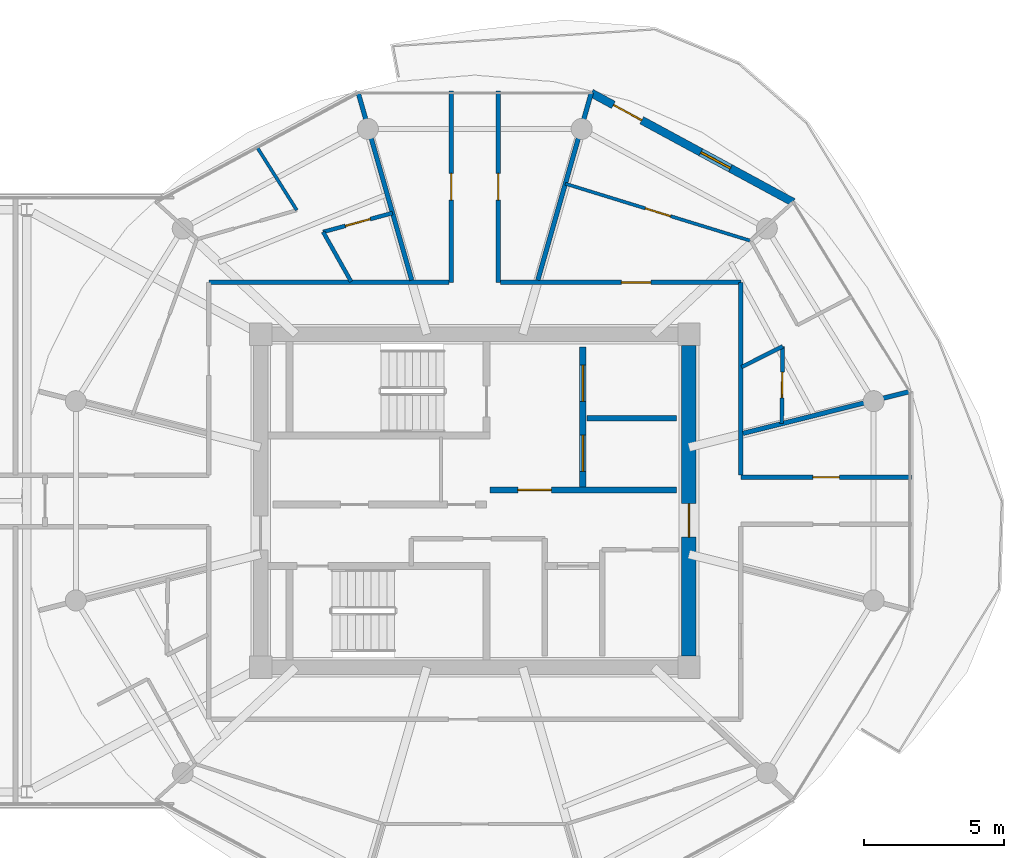
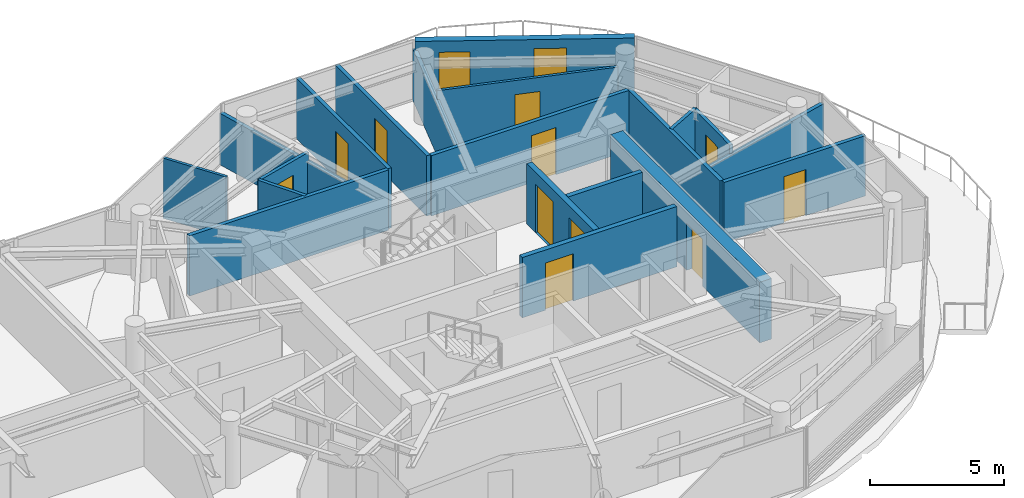
# One storey, part 18 of 23: 20 walls, 12 doors, 1 window, 13 openings.
"""IFC4 building model written with IfcOpenShell, lengths in metres."""

from ifc_helpers import new_model, si_unit, direction, frame, frame_2d, origin, place, context, subcontext, project, spatial, rectangle, extrude, source, transform, mapped, material, layer, layer_set, type_object, type_shapes, element, fill, save


model = new_model("IFC4")

# Units and contexts
model_context = context("Model", 3, precision=1e-05, world=origin(), true_north=direction((0.0, 1.0)))
body_context = subcontext(model_context, "Body", "Model", "MODEL_VIEW")
ifc_project = project(units=[si_unit("LENGTHUNIT", "METRE"), si_unit("AREAUNIT", "SQUARE_METRE"), si_unit("VOLUMEUNIT", "CUBIC_METRE"), si_unit("PLANEANGLEUNIT", "RADIAN"), si_unit("MASSUNIT", "GRAM", prefix="KILO")], contexts=[model_context])

# Site, building, storey
site_placement = place(None, origin())
site = spatial("IfcSite", under=ifc_project, at=site_placement, CompositionType="ELEMENT")
building_placement = place(site_placement, origin())
building = spatial("IfcBuilding", under=site, at=building_placement, Name="Norrkilde Senior Care Towers", CompositionType="ELEMENT")
storey_placement = place(building_placement, frame((0.0, 0.0, 216.949951171875)))
storey = spatial("IfcBuildingStorey", under=building, at=storey_placement, Name="L67", CompositionType="ELEMENT", Elevation=216.949951171875)

# Wall, opening, door
ifc_material_1 = material(Name="Concrete C50/60", Category="concrete")
ifc_layer_1 = layer(ifc_material_1, 0.52001953125)
ifc_layer_set_1 = layer_set([ifc_layer_1], Name="Concrete C50/60")
wall_type_1 = type_object("IfcWallType", Name="Core Shear Wall Z4 520", PredefinedType="SHEAR", material=ifc_layer_set_1)
shared_shape_1 = source(origin(), body_context, "Body", "SweptSolid", [
    extrude(rectangle(XDim=11.10009765625, YDim=0.52001953125, at=frame_2d((5.550048828125, 0.0))), origin(), (0.0, 0.0, 1.0), 2.760009765625),
])
type_shapes(wall_type_1, [shared_shape_1])
wall_1_placement = place(storey_placement, frame((35.64990234375, 5.550048828125, 0.0), z_axis=(0.0, 0.0, 1.0), x_axis=(0.0, -1.0, 0.0)))
wall_1 = element("IfcWall", 1, at=wall_1_placement, inside=storey, type_object=wall_type_1, Name="L67 Core E East Shear Wall", PredefinedType="SHEAR", context=body_context, shape_type="MappedRepresentation", body=[
    mapped(shared_shape_1, transform((0.0, 0.0, 0.0), x_axis=(1.0, 0.0, 0.0), y_axis=(0.0, 1.0, 0.0), z_axis=(0.0, 0.0, 1.0), scale=1.0)),
])
opening_1_placement = place(wall_1_placement, frame((5.64990234375, 0.0, 0.0)))
opening_1 = element("IfcOpeningElement", 2, at=opening_1_placement, cuts=wall_1, Name="Opening D-04", PredefinedType="OPENING", context=body_context, shape_type="SweptSolid", body=[
    extrude(rectangle(XDim=1.199951171875, YDim=2.14990234375, at=frame_2d((0.60009765625, 1.074951171875))), frame((0.0, 0.27001953125, 0.0), z_axis=(0.0, -1.0, 0.0), x_axis=(1.0, 0.0, 0.0)), (0.0, 0.0, 1.0), 0.5400390625),
])
ifc_material_2 = material(Name="Galvanised Painted Steel", Category="steel")
door_type_1 = type_object("IfcDoorType", Name="Firefighting Lobby Fire Door 1200x2150", OperationType="NOTDEFINED", PredefinedType="DOOR", material=ifc_material_2)
shared_shape_2 = source(origin(), body_context, "Body", "SweptSolid", [
    extrude(rectangle(XDim=1.199951171875, YDim=2.14990234375, at=frame_2d((0.60009765625, 1.074951171875))), frame((0.0, 0.02490234375, 0.0), z_axis=(0.0, -1.0, 0.0), x_axis=(1.0, 0.0, 0.0)), (0.0, 0.0, 1.0), 0.050048828125),
])
type_shapes(door_type_1, [shared_shape_2])
door_1_placement = place(opening_1_placement, frame((1.199951171875, 0.0, 0.0), z_axis=(0.0, 0.0, 1.0), x_axis=(-1.0, 0.0, 0.0)))
door_1 = element("IfcDoor", 3, at=door_1_placement, inside=storey, type_object=door_type_1, Name="L67 Core E East Portal Door", OperationType="SINGLE_SWING_RIGHT", OverallHeight=2.14990234375, OverallWidth=1.199951171875, PredefinedType="DOOR", context=body_context, shape_type="MappedRepresentation", body=[
    mapped(shared_shape_2, transform((0.0, 0.0, 0.0), x_axis=(1.0, 0.0, 0.0), y_axis=(0.0, 1.0, 0.0), z_axis=(0.0, 0.0, 1.0), scale=1.0)),
])
fill(opening_1, door_1)

# Wall, openings, door, window
ifc_material_3 = material(Name="Precast concrete C45/55", Category="concrete")
ifc_layer_2 = layer(ifc_material_3, 0.2900390625)
ifc_layer_set_2 = layer_set([ifc_layer_2], Name="Precast concrete C45/55")
wall_type_2 = type_object("IfcWallType", Name="Winter Garden Facade Wall 290", PredefinedType="SOLIDWALL", material=ifc_layer_set_2)
shared_shape_3 = source(origin(), body_context, "Body", "SweptSolid", [
    extrude(rectangle(XDim=8.197265625, YDim=0.2900390625, at=frame_2d((4.0986328125, 0.0))), origin(), (0.0, 0.0, 1.0), 2.760009765625),
])
type_shapes(wall_type_2, [shared_shape_3])
wall_2_placement = place(storey_placement, frame((32.161865234375, 14.566162109375, 0.0), z_axis=(0.0, 0.0, 1.0), x_axis=(0.879369910001, -0.476139224791, 0.0)))
wall_2 = element("IfcWall", 4, at=wall_2_placement, inside=storey, type_object=wall_type_2, Name="L67 Drum E Balcony Access Wall 01", PredefinedType="SOLIDWALL", context=body_context, shape_type="MappedRepresentation", body=[
    mapped(shared_shape_3, transform((0.0, 0.0, 0.0), x_axis=(1.0, 0.0, 0.0), y_axis=(0.0, 1.0, 0.0), z_axis=(0.0, 0.0, 1.0), scale=1.0)),
])
opening_2_placement = place(wall_2_placement, frame((0.89990234375, 0.0, 0.0)))
opening_2 = element("IfcOpeningElement", 5, at=opening_2_placement, cuts=wall_2, Name="Opening D-09", PredefinedType="OPENING", context=body_context, shape_type="SweptSolid", body=[
    extrude(rectangle(XDim=1.14990234375, YDim=2.25, at=frame_2d((0.574951171875, 1.125))), frame((0.0, 0.155029296875, 0.0), z_axis=(0.0, -1.0, 0.0), x_axis=(1.0, 0.0, 0.0)), (0.0, 0.0, 1.0), 0.31005859375),
])
opening_3_placement = place(wall_2_placement, frame((4.448486328125, 0.0, 0.85009765625)))
opening_3 = element("IfcOpeningElement", 6, at=opening_3_placement, cuts=wall_2, Name="Opening WN-07", PredefinedType="OPENING", context=body_context, shape_type="SweptSolid", body=[
    extrude(rectangle(XDim=1.199951171875, YDim=1.5, at=frame_2d((0.60009765625, 0.75))), frame((0.0, 0.155029296875, 0.0), z_axis=(0.0, -1.0, 0.0), x_axis=(1.0, 0.0, 0.0)), (0.0, 0.0, 1.0), 0.31005859375),
])
ifc_material_4 = material(Name="Anodised Aluminium", Category="aluminium")
door_type_2 = type_object("IfcDoorType", Name="Terrace and Balcony Glazed Door 1150x2250", OperationType="NOTDEFINED", PredefinedType="DOOR", material=ifc_material_4)
shared_shape_4 = source(origin(), body_context, "Body", "SweptSolid", [
    extrude(rectangle(XDim=1.14990234375, YDim=2.25, at=frame_2d((0.574951171875, 1.125))), frame((0.0, 0.02490234375, 0.0), z_axis=(0.0, -1.0, 0.0), x_axis=(1.0, 0.0, 0.0)), (0.0, 0.0, 1.0), 0.050048828125),
])
type_shapes(door_type_2, [shared_shape_4])
door_2_placement = place(opening_2_placement, origin())
door_2 = element("IfcDoor", 7, at=door_2_placement, inside=storey, type_object=door_type_2, Name="L67 Drum E Outdoor Terrace Door 01", OperationType="SINGLE_SWING_RIGHT", OverallHeight=2.25, OverallWidth=1.14990234375, PredefinedType="DOOR", context=body_context, shape_type="MappedRepresentation", body=[
    mapped(shared_shape_4, transform((0.0, 0.0, 0.0), x_axis=(1.0, 0.0, 0.0), y_axis=(0.0, 1.0, 0.0), z_axis=(0.0, 0.0, 1.0), scale=1.0)),
])
fill(opening_2, door_2)
ifc_material_5 = material(Name="Triple Low-E Insulated Glazing", Category="glass")
window_type = type_object("IfcWindowType", Name="Stairwell Smoke Vent Window 1200x1500", PartitioningType="SINGLE_PANEL", PredefinedType="WINDOW", material=ifc_material_5)
shared_shape_5 = source(origin(), body_context, "Body", "SweptSolid", [
    extrude(rectangle(XDim=1.199951171875, YDim=1.5, at=frame_2d((0.60009765625, 0.75))), frame((0.0, 0.030029296875, 0.0), z_axis=(0.0, -1.0, 0.0), x_axis=(1.0, 0.0, 0.0)), (0.0, 0.0, 1.0), 0.06005859375),
])
type_shapes(window_type, [shared_shape_5])
window_placement = place(opening_3_placement, origin())
window = element("IfcWindow", 8, at=window_placement, inside=storey, type_object=window_type, Name="L67 Drum E Winter Garden Window 01", OverallHeight=1.5, OverallWidth=1.199951171875, PartitioningType="SINGLE_PANEL", PredefinedType="WINDOW", context=body_context, shape_type="MappedRepresentation", body=[
    mapped(shared_shape_5, transform((0.0, 0.0, 0.0), x_axis=(1.0, 0.0, 0.0), y_axis=(0.0, 1.0, 0.0), z_axis=(0.0, 0.0, 1.0), scale=1.0)),
])
fill(opening_3, window)

# Wall, openings, doors
ifc_material_6 = material(Name="Concrete C45/55", Category="concrete")
ifc_layer_3 = layer(ifc_material_6, 0.239990234375)
ifc_layer_set_3 = layer_set([ifc_layer_3], Name="Concrete C45/55")
wall_type_3 = type_object("IfcWallType", Name="Lift and Plant Rated Enclosure Partition 240", PredefinedType="PARTITIONING", material=ifc_layer_set_3)
shared_shape_6 = source(origin(), body_context, "Body", "SweptSolid", [
    extrude(rectangle(XDim=5.0, YDim=0.239990234375, at=frame_2d((2.5, 0.0))), origin(), (0.0, 0.0, 1.0), 2.7451171875),
])
type_shapes(wall_type_3, [shared_shape_6])
wall_3_placement = place(storey_placement, frame((31.860107421875, 0.5, 0.0), z_axis=(0.0, 0.0, 1.0), x_axis=(0.0, 1.0, 0.0)))
wall_3 = element("IfcWall", 9, at=wall_3_placement, inside=storey, type_object=wall_type_3, Name="WL-INT-L67-E-FFLE", PredefinedType="PARTITIONING", context=body_context, shape_type="MappedRepresentation", body=[
    mapped(shared_shape_6, transform((0.0, 0.0, 0.0), x_axis=(1.0, 0.0, 0.0), y_axis=(0.0, 1.0, 0.0), z_axis=(0.0, 0.0, 1.0), scale=1.0)),
])
opening_4_placement = place(wall_3_placement, frame((3.050048828125, 0.0, 0.0)))
opening_4 = element("IfcOpeningElement", 10, at=opening_4_placement, cuts=wall_3, Name="Opening LD-02", PredefinedType="OPENING", context=body_context, shape_type="SweptSolid", body=[
    extrude(rectangle(XDim=1.300048828125, YDim=2.199951171875, at=frame_2d((0.64990234375, 1.10009765625))), frame((0.0, 0.1298828125, 0.0), z_axis=(0.0, -1.0, 0.0), x_axis=(1.0, 0.0, 0.0)), (0.0, 0.0, 1.0), 0.260009765625),
])
opening_5_placement = place(wall_3_placement, frame((0.550048828125, 0.0, 0.0)))
opening_5 = element("IfcOpeningElement", 11, at=opening_5_placement, cuts=wall_3, Name="Opening LD-02", PredefinedType="OPENING", context=body_context, shape_type="SweptSolid", body=[
    extrude(rectangle(XDim=1.300048828125, YDim=2.199951171875, at=frame_2d((0.64990234375, 1.10009765625))), frame((0.0, 0.1298828125, 0.0), z_axis=(0.0, -1.0, 0.0), x_axis=(1.0, 0.0, 0.0)), (0.0, 0.0, 1.0), 0.260009765625),
])
ifc_material_7 = material(Name="Stainless Steel", Category="steel")
door_type_3 = type_object("IfcDoorType", Name="Stretcher and FFL Landing Sliding Door 1300x2200", OperationType="NOTDEFINED", PredefinedType="DOOR", material=ifc_material_7)
shared_shape_7 = source(origin(), body_context, "Body", "SweptSolid", [
    extrude(rectangle(XDim=1.300048828125, YDim=2.199951171875, at=frame_2d((0.64990234375, 1.10009765625))), frame((0.0, 0.02490234375, 0.0), z_axis=(0.0, -1.0, 0.0), x_axis=(1.0, 0.0, 0.0)), (0.0, 0.0, 1.0), 0.050048828125),
])
type_shapes(door_type_3, [shared_shape_7])
door_3_placement = place(opening_4_placement, origin())
door_3 = element("IfcDoor", 12, at=door_3_placement, inside=storey, type_object=door_type_3, Name="L67 Firefighting Lift E1 Landing Door", OperationType="SLIDING_TO_LEFT", OverallHeight=2.199951171875, OverallWidth=1.300048828125, PredefinedType="DOOR", context=body_context, shape_type="MappedRepresentation", body=[
    mapped(shared_shape_7, transform((0.0, 0.0, 0.0), x_axis=(1.0, 0.0, 0.0), y_axis=(0.0, 1.0, 0.0), z_axis=(0.0, 0.0, 1.0), scale=1.0)),
])
fill(opening_4, door_3)
door_4_placement = place(opening_5_placement, origin())
door_4 = element("IfcDoor", 13, at=door_4_placement, inside=storey, type_object=door_type_3, Name="L67 Stretcher Lift E1 Landing Door", OperationType="SLIDING_TO_RIGHT", OverallHeight=2.199951171875, OverallWidth=1.300048828125, PredefinedType="DOOR", context=body_context, shape_type="MappedRepresentation", body=[
    mapped(shared_shape_7, transform((0.0, 0.0, 0.0), x_axis=(1.0, 0.0, 0.0), y_axis=(0.0, 1.0, 0.0), z_axis=(0.0, 0.0, 1.0), scale=1.0)),
])
fill(opening_5, door_4)

# Wall
ifc_layer_4 = layer(ifc_material_6, 0.199951171875)
ifc_layer_set_4 = layer_set([ifc_layer_4], Name="Concrete C45/55")
wall_type_4 = type_object("IfcWallType", Name="Shaft Division and Plant Partition 200", PredefinedType="PARTITIONING", material=ifc_layer_set_4)
shared_shape_8 = source(origin(), body_context, "Body", "SweptSolid", [
    extrude(rectangle(XDim=3.199951171875, YDim=0.199951171875, at=frame_2d((1.60009765625, 0.0))), origin(), (0.0, 0.0, 1.0), 2.7451171875),
])
type_shapes(wall_type_4, [shared_shape_8])
wall_4_placement = place(storey_placement, frame((32.0, 2.949951171875, 0.0), z_axis=(0.0, 0.0, 1.0), x_axis=(1.0, 0.0, 0.0)))
element("IfcWall", 14, at=wall_4_placement, inside=storey, type_object=wall_type_4, Name="WL-INT-L67-E-FFLDIV", PredefinedType="PARTITIONING", context=body_context, shape_type="MappedRepresentation", body=[
    mapped(shared_shape_8, transform((0.0, 0.0, 0.0), x_axis=(1.0, 0.0, 0.0), y_axis=(0.0, 1.0, 0.0), z_axis=(0.0, 0.0, 1.0), scale=1.0)),
])

# Wall, opening, door
ifc_layer_5 = layer(ifc_material_6, 0.2099609375)
ifc_layer_set_5 = layer_set([ifc_layer_5], Name="Concrete C45/55")
wall_type_5 = type_object("IfcWallType", Name="Firefighting Lobby Wall 210", PredefinedType="PARTITIONING", material=ifc_layer_set_5)
shared_shape_9 = source(origin(), body_context, "Body", "SweptSolid", [
    extrude(rectangle(XDim=6.659912109375, YDim=0.2099609375, at=frame_2d((3.330078125, 0.0))), origin(), (0.0, 0.0, 1.0), 2.7451171875),
])
type_shapes(wall_type_5, [shared_shape_9])
wall_5_placement = place(storey_placement, frame((28.5400390625, 0.389892578125, 0.0), z_axis=(0.0, 0.0, 1.0), x_axis=(1.0, 0.0, 0.0)))
wall_5 = element("IfcWall", 15, at=wall_5_placement, inside=storey, type_object=wall_type_5, Name="WL-INT-L67-E-FFLS", PredefinedType="PARTITIONING", context=body_context, shape_type="MappedRepresentation", body=[
    mapped(shared_shape_9, transform((0.0, 0.0, 0.0), x_axis=(1.0, 0.0, 0.0), y_axis=(0.0, 1.0, 0.0), z_axis=(0.0, 0.0, 1.0), scale=1.0)),
])
opening_6_placement = place(wall_5_placement, frame((1.0, 0.0, 0.0)))
opening_6 = element("IfcOpeningElement", 16, at=opening_6_placement, cuts=wall_5, Name="Opening D-04", PredefinedType="OPENING", context=body_context, shape_type="SweptSolid", body=[
    extrude(rectangle(XDim=1.199951171875, YDim=2.14990234375, at=frame_2d((0.60009765625, 1.074951171875))), frame((0.0, 0.114990234375, 0.0), z_axis=(0.0, -1.0, 0.0), x_axis=(1.0, 0.0, 0.0)), (0.0, 0.0, 1.0), 0.22998046875),
])
door_5_placement = place(opening_6_placement, frame((1.199951171875, 0.0, 0.0), z_axis=(0.0, 0.0, 1.0), x_axis=(-1.0, 0.0, 0.0)))
door_5 = element("IfcDoor", 17, at=door_5_placement, inside=storey, type_object=door_type_1, Name="L67 Firefighting Lobby E Door", OperationType="SINGLE_SWING_LEFT", OverallHeight=2.14990234375, OverallWidth=1.199951171875, PredefinedType="DOOR", context=body_context, shape_type="MappedRepresentation", body=[
    mapped(shared_shape_2, transform((0.0, 0.0, 0.0), x_axis=(1.0, 0.0, 0.0), y_axis=(0.0, 1.0, 0.0), z_axis=(0.0, 0.0, 1.0), scale=1.0)),
])
fill(opening_6, door_5)

# Wall
ifc_material_8 = material(Name="Gypsum Acoustic Board")
ifc_layer_6 = layer(ifc_material_8, 0.1650390625)
ifc_layer_set_6 = layer_set([ifc_layer_6], Name="Gypsum Acoustic Board")
wall_type_6 = type_object("IfcWallType", Name="Corridor Rated Partition 165", PredefinedType="PARTITIONING", material=ifc_layer_set_6)
shared_shape_10 = source(origin(), body_context, "Body", "SweptSolid", [
    extrude(rectangle(XDim=8.580078125, YDim=0.1650390625, at=frame_2d((4.2900390625, 0.0))), origin(), (0.0, 0.0, 1.0), 2.7451171875),
])
wall_6_placement = place(storey_placement, frame((18.5, 7.800048828125, 0.0), z_axis=(0.0, 0.0, 1.0), x_axis=(1.0, 0.0, 0.0)))
element("IfcWall", 18, at=wall_6_placement, inside=storey, type_object=wall_type_6, Name="WL-INT-L67-E-CRW-N-0", PredefinedType="PARTITIONING", context=body_context, shape_type="MappedRepresentation", body=[
    mapped(shared_shape_10, transform((0.0, 0.0, 0.0), x_axis=(1.0, 0.0, 0.0), y_axis=(0.0, 1.0, 0.0), z_axis=(0.0, 0.0, 1.0), scale=1.0)),
])

# Wall, opening, door
wall_7_placement = place(storey_placement, frame((28.919921875, 7.800048828125, 0.0), z_axis=(0.0, 0.0, 1.0), x_axis=(1.0, 0.0, 0.0)))
wall_7 = element("IfcWall", 19, at=wall_7_placement, inside=storey, type_object=wall_type_6, Name="WL-INT-L67-E-CRW-N-1", PredefinedType="PARTITIONING", context=body_context, shape_type="MappedRepresentation", body=[
    mapped(shared_shape_10, transform((0.0, 0.0, 0.0), x_axis=(1.0, 0.0, 0.0), y_axis=(0.0, 1.0, 0.0), z_axis=(0.0, 0.0, 1.0), scale=1.0)),
])
opening_7_placement = place(wall_7_placement, frame((4.31982421875, 0.0, 0.0)))
opening_7 = element("IfcOpeningElement", 20, at=opening_7_placement, cuts=wall_7, Name="Opening D-06", PredefinedType="OPENING", context=body_context, shape_type="SweptSolid", body=[
    extrude(rectangle(XDim=1.050048828125, YDim=2.14990234375, at=frame_2d((0.52490234375, 1.074951171875))), frame((0.0, 0.092529296875, 0.0), z_axis=(0.0, -1.0, 0.0), x_axis=(1.0, 0.0, 0.0)), (0.0, 0.0, 1.0), 0.18505859375),
])
ifc_material_9 = material(Name="Nordic Ash Timber", Category="wood")
door_type_4 = type_object("IfcDoorType", Name="Apartment Entrance Fire Door 1050x2150", OperationType="NOTDEFINED", PredefinedType="DOOR", material=ifc_material_9)
shared_shape_11 = source(origin(), body_context, "Body", "SweptSolid", [
    extrude(rectangle(XDim=1.050048828125, YDim=2.14990234375, at=frame_2d((0.52490234375, 1.074951171875))), frame((0.0, 0.02490234375, 0.0), z_axis=(0.0, -1.0, 0.0), x_axis=(1.0, 0.0, 0.0)), (0.0, 0.0, 1.0), 0.050048828125),
])
type_shapes(door_type_4, [shared_shape_11])
door_6_placement = place(opening_7_placement, frame((1.050048828125, 0.0, 0.0), z_axis=(0.0, 0.0, 1.0), x_axis=(-1.0, 0.0, 0.0)))
door_6 = element("IfcDoor", 21, at=door_6_placement, inside=storey, type_object=door_type_4, Name="Apartment 67A Entrance Door", OperationType="SINGLE_SWING_LEFT", OverallHeight=2.14990234375, OverallWidth=1.050048828125, PredefinedType="DOOR", context=body_context, shape_type="MappedRepresentation", body=[
    mapped(shared_shape_11, transform((0.0, 0.0, 0.0), x_axis=(1.0, 0.0, 0.0), y_axis=(0.0, 1.0, 0.0), z_axis=(0.0, 0.0, 1.0), scale=1.0)),
])
fill(opening_7, door_6)

# Walls
shared_shape_12 = source(origin(), body_context, "Body", "SweptSolid", [
    extrude(rectangle(XDim=6.880126953125, YDim=0.1650390625, at=frame_2d((3.43994140625, 0.0))), origin(), (0.0, 0.0, 1.0), 2.7451171875),
])
wall_8_placement = place(storey_placement, frame((37.5, 7.800048828125, 0.0), z_axis=(0.0, 0.0, 1.0), x_axis=(0.0, -1.0, 0.0)))
element("IfcWall", 22, at=wall_8_placement, inside=storey, type_object=wall_type_6, Name="WL-INT-L67-E-CRW-E-0", PredefinedType="PARTITIONING", context=body_context, shape_type="MappedRepresentation", body=[
    mapped(shared_shape_12, transform((0.0, 0.0, 0.0), x_axis=(1.0, 0.0, 0.0), y_axis=(0.0, 1.0, 0.0), z_axis=(0.0, 0.0, 1.0), scale=1.0)),
])
shared_shape_13 = source(origin(), body_context, "Body", "SweptSolid", [
    extrude(rectangle(XDim=6.973876953125, YDim=0.1650390625, at=frame_2d((3.48681640625, 0.0))), origin(), (0.0, 0.0, 1.0), 2.344970703125),
])
for number, where, z_axis, x_axis, name in (
    (23, (30.251220703125, 7.8798828125, 0.0), (0.0, 0.0, 1.0), (0.274707256801, 0.961527910703, 0.0), "WL-INT-L67-E-DEM-02-0"),
    (24, (25.748779296875, 7.8798828125, 0.0), (0.0, 0.0, 1.0), (-0.274707256801, 0.961527910703, 0.0), "WL-INT-L67-E-DEM-03-0"),
):
    element("IfcWall", number, at=place(storey_placement, frame(where, z_axis=z_axis, x_axis=x_axis)), inside=storey, type_object=wall_type_6, Name=name, PredefinedType="PARTITIONING", context=body_context, shape_type="MappedRepresentation", body=[
        mapped(shared_shape_13, transform((0.0, 0.0, 0.0), x_axis=(1.0, 0.0, 0.0), y_axis=(0.0, 1.0, 0.0), z_axis=(0.0, 0.0, 1.0), scale=1.0)),
    ])
shared_shape_14 = source(origin(), body_context, "Body", "SweptSolid", [
    extrude(rectangle(XDim=6.1572265625, YDim=0.1650390625, at=frame_2d((3.07861328125, 0.0))), origin(), (0.0, 0.0, 1.0), 2.344970703125),
])
wall_9_placement = place(storey_placement, frame((37.580078125, 2.407470703125, 0.0), z_axis=(0.0, 0.0, 1.0), x_axis=(0.969840867184, 0.243738984038, 0.0)))
element("IfcWall", 25, at=wall_9_placement, inside=storey, type_object=wall_type_6, Name="WL-INT-L67-E-DEM-00-0", PredefinedType="PARTITIONING", context=body_context, shape_type="MappedRepresentation", body=[
    mapped(shared_shape_14, transform((0.0, 0.0, 0.0), x_axis=(1.0, 0.0, 0.0), y_axis=(0.0, 1.0, 0.0), z_axis=(0.0, 0.0, 1.0), scale=1.0)),
])

# Wall, opening, door
shared_shape_15 = source(origin(), body_context, "Body", "SweptSolid", [
    extrude(rectangle(XDim=6.83544921875, YDim=0.1650390625, at=frame_2d((3.417724609375, 0.0))), origin(), (0.0, 0.0, 1.0), 2.7451171875),
])
wall_10_placement = place(storey_placement, frame((27.159912109375, 7.800048828125, 0.0), z_axis=(0.0, 0.0, 1.0), x_axis=(0.0, 1.0, 0.0)))
wall_10 = element("IfcWall", 26, at=wall_10_placement, inside=storey, type_object=wall_type_6, Name="WL-INT-L67-E-SPK-N1-0", PredefinedType="PARTITIONING", context=body_context, shape_type="MappedRepresentation", body=[
    mapped(shared_shape_15, transform((0.0, 0.0, 0.0), x_axis=(1.0, 0.0, 0.0), y_axis=(0.0, 1.0, 0.0), z_axis=(0.0, 0.0, 1.0), scale=1.0)),
])
opening_8_placement = place(wall_10_placement, frame((2.942626953125, 0.0, 0.0)))
opening_8 = element("IfcOpeningElement", 27, at=opening_8_placement, cuts=wall_10, Name="Opening D-07", PredefinedType="OPENING", context=body_context, shape_type="SweptSolid", body=[
    extrude(rectangle(XDim=0.949951171875, YDim=2.10009765625, at=frame_2d((0.47509765625, 1.050048828125))), frame((0.0, 0.092529296875, 0.0), z_axis=(0.0, -1.0, 0.0), x_axis=(1.0, 0.0, 0.0)), (0.0, 0.0, 1.0), 0.18505859375),
])
door_type_5 = type_object("IfcDoorType", Name="Internal Suite Bedroom Door 950x2100", OperationType="NOTDEFINED", PredefinedType="DOOR", material=ifc_material_9)
shared_shape_16 = source(origin(), body_context, "Body", "SweptSolid", [
    extrude(rectangle(XDim=0.949951171875, YDim=2.10009765625, at=frame_2d((0.47509765625, 1.050048828125))), frame((0.0, 0.02490234375, 0.0), z_axis=(0.0, -1.0, 0.0), x_axis=(1.0, 0.0, 0.0)), (0.0, 0.0, 1.0), 0.050048828125),
])
type_shapes(door_type_5, [shared_shape_16])
door_7_placement = place(opening_8_placement, frame((0.949951171875, 0.0, 0.0), z_axis=(0.0, 0.0, 1.0), x_axis=(-1.0, 0.0, 0.0)))
door_7 = element("IfcDoor", 28, at=door_7_placement, inside=storey, type_object=door_type_5, Name="L67 Sun Reading Lounge 3 Door", OperationType="SINGLE_SWING_RIGHT", OverallHeight=2.10009765625, OverallWidth=0.949951171875, PredefinedType="DOOR", context=body_context, shape_type="MappedRepresentation", body=[
    mapped(shared_shape_16, transform((0.0, 0.0, 0.0), x_axis=(1.0, 0.0, 0.0), y_axis=(0.0, 1.0, 0.0), z_axis=(0.0, 0.0, 1.0), scale=1.0)),
])
fill(opening_8, door_7)

wall_11_placement = place(storey_placement, frame((28.840087890625, 14.635498046875, 0.0), z_axis=(0.0, 0.0, 1.0), x_axis=(0.0, -1.0, 0.0)))
wall_11 = element("IfcWall", 29, at=wall_11_placement, inside=storey, type_object=wall_type_6, Name="WL-INT-L67-E-SPK-N2-0", PredefinedType="PARTITIONING", context=body_context, shape_type="MappedRepresentation", body=[
    mapped(shared_shape_15, transform((0.0, 0.0, 0.0), x_axis=(1.0, 0.0, 0.0), y_axis=(0.0, 1.0, 0.0), z_axis=(0.0, 0.0, 1.0), scale=1.0)),
])
opening_9_placement = place(wall_11_placement, frame((2.942626953125, 0.0, 0.0)))
opening_9 = element("IfcOpeningElement", 30, at=opening_9_placement, cuts=wall_11, Name="Opening D-07", PredefinedType="OPENING", context=body_context, shape_type="SweptSolid", body=[
    extrude(rectangle(XDim=0.949951171875, YDim=2.10009765625, at=frame_2d((0.47509765625, 1.050048828125))), frame((0.0, 0.092529296875, 0.0), z_axis=(0.0, -1.0, 0.0), x_axis=(1.0, 0.0, 0.0)), (0.0, 0.0, 1.0), 0.18505859375),
])
door_8_placement = place(opening_9_placement, frame((0.949951171875, 0.0, 0.0), z_axis=(0.0, 0.0, 1.0), x_axis=(-1.0, 0.0, 0.0)))
door_8 = element("IfcDoor", 31, at=door_8_placement, inside=storey, type_object=door_type_5, Name="L67 Sun Reading Lounge 4 Door", OperationType="SINGLE_SWING_LEFT", OverallHeight=2.10009765625, OverallWidth=0.949951171875, PredefinedType="DOOR", context=body_context, shape_type="MappedRepresentation", body=[
    mapped(shared_shape_16, transform((0.0, 0.0, 0.0), x_axis=(1.0, 0.0, 0.0), y_axis=(0.0, 1.0, 0.0), z_axis=(0.0, 0.0, 1.0), scale=1.0)),
])
fill(opening_9, door_8)

shared_shape_17 = source(origin(), body_context, "Body", "SweptSolid", [
    extrude(rectangle(XDim=6.101318359375, YDim=0.1650390625, at=frame_2d((3.05078125, 0.0))), origin(), (0.0, 0.0, 1.0), 2.7451171875),
])
type_shapes(wall_type_6, [shared_shape_10, shared_shape_12, shared_shape_13, shared_shape_14, shared_shape_15, shared_shape_17])
wall_12_placement = place(storey_placement, frame((37.5, 0.840087890625, 0.0), z_axis=(0.0, 0.0, 1.0), x_axis=(1.0, 0.0, 0.0)))
wall_12 = element("IfcWall", 32, at=wall_12_placement, inside=storey, type_object=wall_type_6, Name="WL-INT-L67-E-SPK-E1-0", PredefinedType="PARTITIONING", context=body_context, shape_type="MappedRepresentation", body=[
    mapped(shared_shape_17, transform((0.0, 0.0, 0.0), x_axis=(1.0, 0.0, 0.0), y_axis=(0.0, 1.0, 0.0), z_axis=(0.0, 0.0, 1.0), scale=1.0)),
])
opening_10_placement = place(wall_12_placement, frame((2.57568359375, 0.0, 0.0)))
opening_10 = element("IfcOpeningElement", 33, at=opening_10_placement, cuts=wall_12, Name="Opening D-07", PredefinedType="OPENING", context=body_context, shape_type="SweptSolid", body=[
    extrude(rectangle(XDim=0.949951171875, YDim=2.10009765625, at=frame_2d((0.47509765625, 1.050048828125))), frame((0.0, 0.092529296875, 0.0), z_axis=(0.0, -1.0, 0.0), x_axis=(1.0, 0.0, 0.0)), (0.0, 0.0, 1.0), 0.18505859375),
])
door_9_placement = place(opening_10_placement, frame((0.949951171875, 0.0, 0.0), z_axis=(0.0, 0.0, 1.0), x_axis=(-1.0, 0.0, 0.0)))
door_9 = element("IfcDoor", 34, at=door_9_placement, inside=storey, type_object=door_type_5, Name="L67 Sun Reading Lounge 6 Door", OperationType="SINGLE_SWING_LEFT", OverallHeight=2.10009765625, OverallWidth=0.949951171875, PredefinedType="DOOR", context=body_context, shape_type="MappedRepresentation", body=[
    mapped(shared_shape_16, transform((0.0, 0.0, 0.0), x_axis=(1.0, 0.0, 0.0), y_axis=(0.0, 1.0, 0.0), z_axis=(0.0, 0.0, 1.0), scale=1.0)),
])
fill(opening_10, door_9)

# Wall
ifc_layer_7 = layer(ifc_material_8, 0.139892578125)
ifc_layer_set_7 = layer_set([ifc_layer_7], Name="Gypsum Acoustic Board")
wall_type_7 = type_object("IfcWallType", Name="En-suite Wet Room Wall 140", PredefinedType="PARTITIONING", material=ifc_layer_set_7)
shared_shape_18 = source(origin(), body_context, "Body", "SweptSolid", [
    extrude(rectangle(XDim=1.638427734375, YDim=0.139892578125, at=frame_2d((0.8193359375, 0.0))), origin(), (0.0, 0.0, 1.0), 2.7451171875),
])
wall_13_placement = place(storey_placement, frame((37.530029296875, 4.7783203125, 0.0), z_axis=(0.0, 0.0, 1.0), x_axis=(0.893919977945, 0.448226586707, 0.0)))
element("IfcWall", 35, at=wall_13_placement, inside=storey, type_object=wall_type_7, Name="WL-INT-L67-E-UBTS-00", PredefinedType="PARTITIONING", context=body_context, shape_type="MappedRepresentation", body=[
    mapped(shared_shape_18, transform((0.0, 0.0, 0.0), x_axis=(1.0, 0.0, 0.0), y_axis=(0.0, 1.0, 0.0), z_axis=(0.0, 0.0, 1.0), scale=1.0)),
])

# Wall, opening, door
shared_shape_19 = source(origin(), body_context, "Body", "SweptSolid", [
    extrude(rectangle(XDim=2.7587890625, YDim=0.139892578125, at=frame_2d((1.37939453125, 0.0))), origin(), (0.0, 0.0, 1.0), 2.7451171875),
])
wall_14_placement = place(storey_placement, frame((38.99462890625, 5.5126953125, 0.0), z_axis=(0.0, 0.0, 1.0), x_axis=(-0.01194710728, -0.999928630767, 0.0)))
wall_14 = element("IfcWall", 36, at=wall_14_placement, inside=storey, type_object=wall_type_7, Name="WL-INT-L67-E-UBTF-00", PredefinedType="PARTITIONING", context=body_context, shape_type="MappedRepresentation", body=[
    mapped(shared_shape_19, transform((0.0, 0.0, 0.0), x_axis=(1.0, 0.0, 0.0), y_axis=(0.0, 1.0, 0.0), z_axis=(0.0, 0.0, 1.0), scale=1.0)),
])
opening_11_placement = place(wall_14_placement, frame((0.91943359375, 0.0, 0.0)))
opening_11 = element("IfcOpeningElement", 37, at=opening_11_placement, cuts=wall_14, Name="Opening D-08", PredefinedType="OPENING", context=body_context, shape_type="SweptSolid", body=[
    extrude(rectangle(XDim=0.919921875, YDim=2.10009765625, at=frame_2d((0.4599609375, 1.050048828125))), frame((0.0, 0.079833984375, 0.0), z_axis=(0.0, -1.0, 0.0), x_axis=(1.0, 0.0, 0.0)), (0.0, 0.0, 1.0), 0.159912109375),
])
door_type_6 = type_object("IfcDoorType", Name="Accessible Wet Room Door 920x2100", OperationType="NOTDEFINED", PredefinedType="DOOR", material=ifc_material_9)
shared_shape_20 = source(origin(), body_context, "Body", "SweptSolid", [
    extrude(rectangle(XDim=0.919921875, YDim=2.10009765625, at=frame_2d((0.4599609375, 1.050048828125))), frame((0.0, 0.02490234375, 0.0), z_axis=(0.0, -1.0, 0.0), x_axis=(1.0, 0.0, 0.0)), (0.0, 0.0, 1.0), 0.050048828125),
])
type_shapes(door_type_6, [shared_shape_20])
door_10_placement = place(opening_11_placement, origin())
door_10 = element("IfcDoor", 38, at=door_10_placement, inside=storey, type_object=door_type_6, Name="Apartment 67A Bathroom Door", OperationType="SINGLE_SWING_RIGHT", OverallHeight=2.10009765625, OverallWidth=0.919921875, PredefinedType="DOOR", context=body_context, shape_type="MappedRepresentation", body=[
    mapped(shared_shape_20, transform((0.0, 0.0, 0.0), x_axis=(1.0, 0.0, 0.0), y_axis=(0.0, 1.0, 0.0), z_axis=(0.0, 0.0, 1.0), scale=1.0)),
])
fill(opening_11, door_10)

# Wall
shared_shape_21 = source(origin(), body_context, "Body", "SweptSolid", [
    extrude(rectangle(XDim=2.035400390625, YDim=0.139892578125, at=frame_2d((1.017578125, 0.0))), origin(), (0.0, 0.0, 1.0), 2.7451171875),
])
wall_15_placement = place(storey_placement, frame((23.5849609375, 7.830078125, 0.0), z_axis=(0.0, 0.0, 1.0), x_axis=(-0.491092509169, 0.871107425888, 0.0)))
element("IfcWall", 39, at=wall_15_placement, inside=storey, type_object=wall_type_7, Name="WL-INT-L67-E-UBTS-03", PredefinedType="PARTITIONING", context=body_context, shape_type="MappedRepresentation", body=[
    mapped(shared_shape_21, transform((0.0, 0.0, 0.0), x_axis=(1.0, 0.0, 0.0), y_axis=(0.0, 1.0, 0.0), z_axis=(0.0, 0.0, 1.0), scale=1.0)),
])

# Wall, opening, door
ifc_layer_8 = layer(ifc_material_8, 0.114990234375)
ifc_layer_set_8 = layer_set([ifc_layer_8], Name="Gypsum Acoustic Board")
wall_type_8 = type_object("IfcWallType", Name="Internal Room Partition 115", PredefinedType="PARTITIONING", material=ifc_layer_set_8)
shared_shape_22 = source(origin(), body_context, "Body", "SweptSolid", [
    extrude(rectangle(XDim=6.919189453125, YDim=0.114990234375, at=frame_2d((3.45947265625, 0.0))), origin(), (0.0, 0.0, 1.0), 2.7451171875),
])
wall_16_placement = place(storey_placement, frame((37.8486328125, 9.287109375, 0.0), z_axis=(0.0, 0.0, 1.0), x_axis=(-0.955678249072, 0.294413118341, 0.0)))
wall_16 = element("IfcWall", 40, at=wall_16_placement, inside=storey, type_object=wall_type_8, Name="WL-INT-L67-E-UBC-00-1", PredefinedType="PARTITIONING", context=body_context, shape_type="MappedRepresentation", body=[
    mapped(shared_shape_22, transform((0.0, 0.0, 0.0), x_axis=(1.0, 0.0, 0.0), y_axis=(0.0, 1.0, 0.0), z_axis=(0.0, 0.0, 1.0), scale=1.0)),
])
opening_12_placement = place(wall_16_placement, frame((2.984619140625, 0.0, 0.0)))
opening_12 = element("IfcOpeningElement", 41, at=opening_12_placement, cuts=wall_16, Name="Opening D-07", PredefinedType="OPENING", context=body_context, shape_type="SweptSolid", body=[
    extrude(rectangle(XDim=0.949951171875, YDim=2.10009765625, at=frame_2d((0.47509765625, 1.050048828125))), frame((0.0, 0.0673828125, 0.0), z_axis=(0.0, -1.0, 0.0), x_axis=(1.0, 0.0, 0.0)), (0.0, 0.0, 1.0), 0.135009765625),
])
door_11_placement = place(opening_12_placement, origin())
door_11 = element("IfcDoor", 42, at=door_11_placement, inside=storey, type_object=door_type_5, Name="Apartment 67A Bedroom 1 Door", OperationType="SINGLE_SWING_RIGHT", OverallHeight=2.10009765625, OverallWidth=0.949951171875, PredefinedType="DOOR", context=body_context, shape_type="MappedRepresentation", body=[
    mapped(shared_shape_16, transform((0.0, 0.0, 0.0), x_axis=(1.0, 0.0, 0.0), y_axis=(0.0, 1.0, 0.0), z_axis=(0.0, 0.0, 1.0), scale=1.0)),
])
fill(opening_12, door_11)

shared_shape_23 = source(origin(), body_context, "Body", "SweptSolid", [
    extrude(rectangle(XDim=2.567626953125, YDim=0.139892578125, at=frame_2d((1.28369140625, 0.0))), origin(), (0.0, 0.0, 1.0), 2.7451171875),
])
type_shapes(wall_type_7, [shared_shape_18, shared_shape_19, shared_shape_21, shared_shape_23])
wall_17_placement = place(storey_placement, frame((22.58544921875, 9.60302734375, 0.0), z_axis=(0.0, 0.0, 1.0), x_axis=(0.964796726679, 0.262996722775, 0.0)))
wall_17 = element("IfcWall", 43, at=wall_17_placement, inside=storey, type_object=wall_type_7, Name="WL-INT-L67-E-UBTF-03", PredefinedType="PARTITIONING", context=body_context, shape_type="MappedRepresentation", body=[
    mapped(shared_shape_23, transform((0.0, 0.0, 0.0), x_axis=(1.0, 0.0, 0.0), y_axis=(0.0, 1.0, 0.0), z_axis=(0.0, 0.0, 1.0), scale=1.0)),
])
opening_13_placement = place(wall_17_placement, frame((0.823974609375, 0.0, 0.0)))
opening_13 = element("IfcOpeningElement", 44, at=opening_13_placement, cuts=wall_17, Name="Opening D-08", PredefinedType="OPENING", context=body_context, shape_type="SweptSolid", body=[
    extrude(rectangle(XDim=0.919921875, YDim=2.10009765625, at=frame_2d((0.4599609375, 1.050048828125))), frame((0.0, 0.079833984375, 0.0), z_axis=(0.0, -1.0, 0.0), x_axis=(1.0, 0.0, 0.0)), (0.0, 0.0, 1.0), 0.159912109375),
])
door_12_placement = place(opening_13_placement, origin())
door_12 = element("IfcDoor", 45, at=door_12_placement, inside=storey, type_object=door_type_6, Name="Apartment 67B Bathroom Door", OperationType="SINGLE_SWING_LEFT", OverallHeight=2.10009765625, OverallWidth=0.919921875, PredefinedType="DOOR", context=body_context, shape_type="MappedRepresentation", body=[
    mapped(shared_shape_20, transform((0.0, 0.0, 0.0), x_axis=(1.0, 0.0, 0.0), y_axis=(0.0, 1.0, 0.0), z_axis=(0.0, 0.0, 1.0), scale=1.0)),
])
fill(opening_13, door_12)

# Wall
shared_shape_24 = source(origin(), body_context, "Body", "SweptSolid", [
    extrude(rectangle(XDim=2.66162109375, YDim=0.114990234375, at=frame_2d((1.330810546875, 0.0))), origin(), (0.0, 0.0, 1.0), 2.7451171875),
])
type_shapes(wall_type_8, [shared_shape_22, shared_shape_24])
wall_18_placement = place(storey_placement, frame((21.64453125, 10.380126953125, 0.0), z_axis=(0.0, 0.0, 1.0), x_axis=(-0.533547747092, 0.845769946009, 0.0)))
element("IfcWall", 46, at=wall_18_placement, inside=storey, type_object=wall_type_8, Name="WL-INT-L67-E-UKTS-03", PredefinedType="PARTITIONING", context=body_context, shape_type="MappedRepresentation", body=[
    mapped(shared_shape_24, transform((0.0, 0.0, 0.0), x_axis=(1.0, 0.0, 0.0), y_axis=(0.0, 1.0, 0.0), z_axis=(0.0, 0.0, 1.0), scale=1.0)),
])

save(model, "model.ifc")
